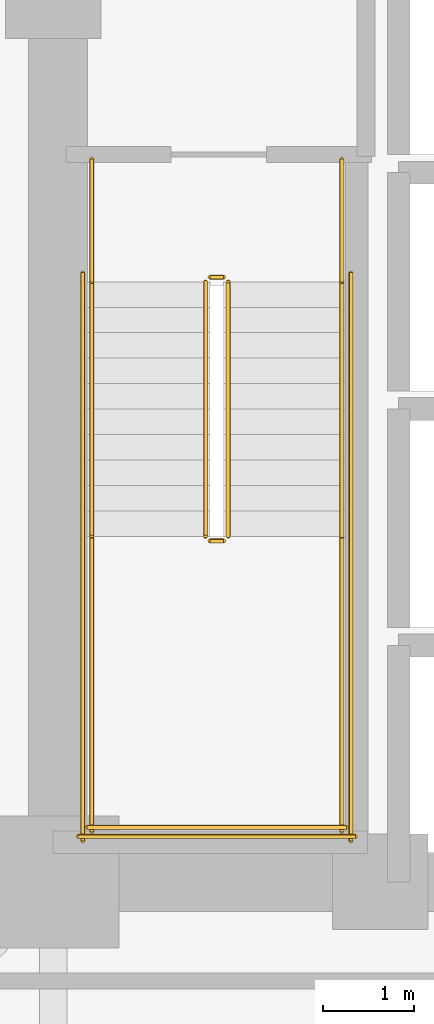
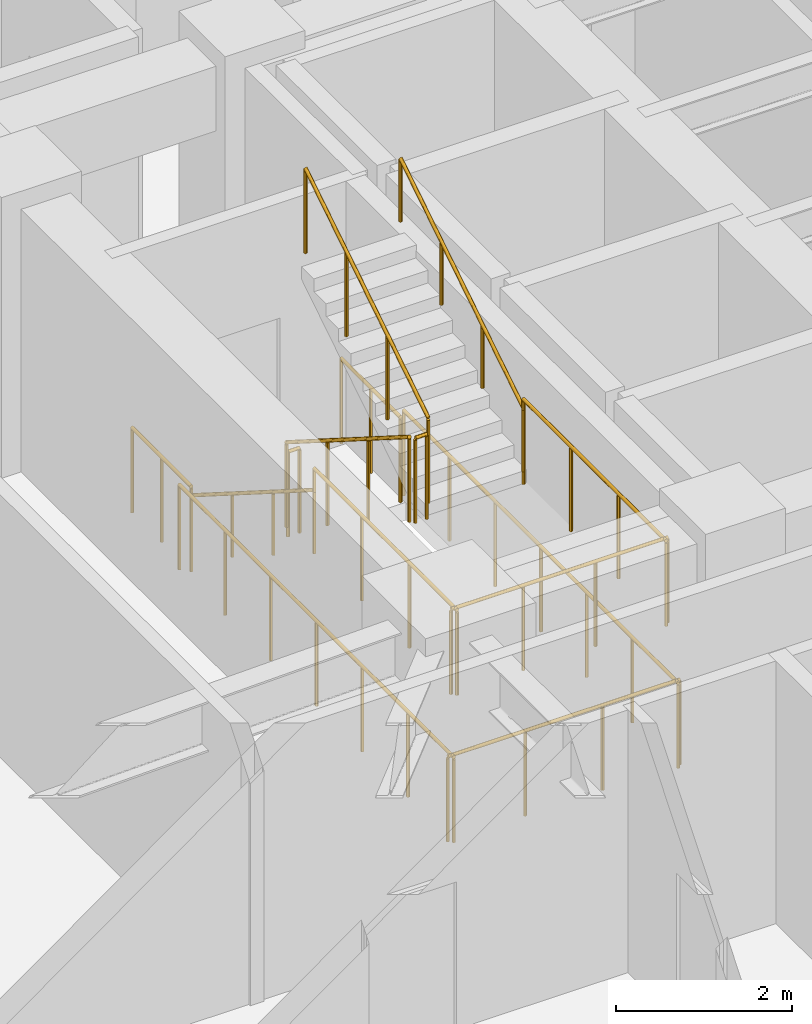
# One storey, part 10 of 11: 14 railings.
"""IFC4 building model written with IfcOpenShell, lengths in metres."""

from ifc_helpers import new_model, si_unit, direction, frame, origin, origin_2d, place, context, subcontext, project, spatial, circle, extrude, material, type_object, element, save


model = new_model("IFC4")

# Units and contexts
model_context = context("Model", 3, precision=1e-05, world=origin(), true_north=direction((0.0, 1.0)))
body_context = subcontext(model_context, "Body", "Model", "MODEL_VIEW")
ifc_project = project(units=[si_unit("LENGTHUNIT", "METRE"), si_unit("AREAUNIT", "SQUARE_METRE"), si_unit("VOLUMEUNIT", "CUBIC_METRE"), si_unit("PLANEANGLEUNIT", "RADIAN"), si_unit("MASSUNIT", "GRAM", prefix="KILO")], contexts=[model_context])

# Site, building, storey
site_placement = place(None, origin())
site = spatial("IfcSite", under=ifc_project, at=site_placement, CompositionType="ELEMENT")
building_placement = place(site_placement, origin())
building = spatial("IfcBuilding", under=site, at=building_placement, Name="Voryun Gate Residences", CompositionType="ELEMENT")
storey_placement = place(building_placement, frame((0.0, 0.0, 37.699951171875)))
storey = spatial("IfcBuildingStorey", under=building, at=storey_placement, Name="L08", CompositionType="ELEMENT", Elevation=37.699951171875)

# Railings
ifc_material_1 = material(Name="Painted steel", Category="steel")
railing_type_1 = type_object("IfcRailingType", Name="RAIL_STAIR_GUARD_1200", PredefinedType="GUARDRAIL", material=ifc_material_1)
railing_1_placement = place(storey_placement, frame((-17.52490234375, -0.800048828125, 0.17724609375)))
element("IfcRailing", 1, at=railing_1_placement, inside=storey, type_object=railing_type_1, Name="L08 ST-W1 stair guard 1", PredefinedType="GUARDRAIL", context=body_context, shape_type="SweptSolid", body=[
    extrude(circle(Radius=0.02392578125, at=origin_2d()), frame((0.0, 0.0, 1.17578125), z_axis=(0.0, -0.844908973607, 0.534910110503), x_axis=(1.0, 0.0, 0.0)), (0.0, 0.0, 1.0), 3.31396484375),
    extrude(circle(Radius=0.02099609375, at=origin_2d()), origin(), (0.0, 0.0, 1.0), 1.15185546875),
    extrude(circle(Radius=0.02099609375, at=origin_2d()), frame((0.0, -0.933349609375, 0.5908203125)), (0.0, 0.0, 1.0), 1.15185546875),
    extrude(circle(Radius=0.02099609375, at=origin_2d()), frame((0.0, -1.86669921875, 1.181884765625)), (0.0, 0.0, 1.0), 1.15185546875),
    extrude(circle(Radius=0.02099609375, at=origin_2d()), frame((0.0, -2.800048828125, 1.772705078125)), (0.0, 0.0, 1.0), 1.15185546875),
])
railing_2_placement = place(storey_placement, frame((-17.47509765625, -3.64990234375, 1.949951171875)))
element("IfcRailing", 2, at=railing_2_placement, inside=storey, type_object=railing_type_1, Name="L08 ST-W1 stair guard 2", PredefinedType="GUARDRAIL", context=body_context, shape_type="SweptSolid", body=[
    extrude(circle(Radius=0.02392578125, at=origin_2d()), frame((0.0, 0.0, 1.17578125), z_axis=(1.0, 0.0, 0.0), x_axis=(0.0, 1.0, 0.0)), (0.0, 0.0, 1.0), 0.150146484375),
    extrude(circle(Radius=0.02099609375, at=origin_2d()), origin(), (0.0, 0.0, 1.0), 1.15185546875),
    extrude(circle(Radius=0.02099609375, at=origin_2d()), frame((0.150146484375, 0.0, 0.0)), (0.0, 0.0, 1.0), 1.15185546875),
])
for number, where, name in (
    (3, (-18.77490234375, -3.60009765625, 1.949951171875), "L08 ST-W1 stair guard 3"),
    (4, (-16.02490234375, -3.60009765625, 1.949951171875), "L08 ST-W1 stair guard 4"),
):
    element("IfcRailing", number, at=place(storey_placement, frame(where)), inside=storey, type_object=railing_type_1, Name=name, PredefinedType="GUARDRAIL", context=body_context, shape_type="SweptSolid", body=[
        extrude(circle(Radius=0.02392578125, at=origin_2d()), frame((0.0, 0.0, 1.17578125), z_axis=(0.0, -1.0, 0.0), x_axis=(1.0, 0.0, 0.0)), (0.0, 0.0, 1.0), 3.25),
        extrude(circle(Radius=0.02099609375, at=origin_2d()), origin(), (0.0, 0.0, 1.0), 1.15185546875),
        extrude(circle(Radius=0.02099609375, at=origin_2d()), frame((0.0, -1.083251953125, 0.0)), (0.0, 0.0, 1.0), 1.15185546875),
        extrude(circle(Radius=0.02099609375, at=origin_2d()), frame((0.0, -2.166748046875, 0.0)), (0.0, 0.0, 1.0), 1.15185546875),
        extrude(circle(Radius=0.02099609375, at=origin_2d()), frame((0.0, -3.25, 0.0)), (0.0, 0.0, 1.0), 1.15185546875),
    ])
railing_3_placement = place(storey_placement, frame((-18.824951171875, -6.800048828125, 1.949951171875)))
element("IfcRailing", 5, at=railing_3_placement, inside=storey, type_object=railing_type_1, Name="L08 ST-W1 stair guard 5", PredefinedType="GUARDRAIL", context=body_context, shape_type="SweptSolid", body=[
    extrude(circle(Radius=0.02392578125, at=origin_2d()), frame((0.0, 0.0, 1.17578125), z_axis=(1.0, 0.0, 0.0), x_axis=(0.0, 1.0, 0.0)), (0.0, 0.0, 1.0), 2.849853515625),
    extrude(circle(Radius=0.02099609375, at=origin_2d()), origin(), (0.0, 0.0, 1.0), 1.15185546875),
    extrude(circle(Radius=0.02099609375, at=origin_2d()), frame((0.949951171875, 0.0, 0.0)), (0.0, 0.0, 1.0), 1.15185546875),
    extrude(circle(Radius=0.02099609375, at=origin_2d()), frame((1.89990234375, 0.0, 0.0)), (0.0, 0.0, 1.0), 1.15185546875),
    extrude(circle(Radius=0.02099609375, at=origin_2d()), frame((2.849853515625, 0.0, 0.0)), (0.0, 0.0, 1.0), 1.15185546875),
])
railing_4_placement = place(storey_placement, frame((-17.27490234375, -3.60009765625, 2.12744140625)))
element("IfcRailing", 6, at=railing_4_placement, inside=storey, type_object=railing_type_1, Name="L08 ST-W1 stair guard 6", PredefinedType="GUARDRAIL", context=body_context, shape_type="SweptSolid", body=[
    extrude(circle(Radius=0.02392578125, at=origin_2d()), frame((0.0, 0.0, 1.17578125), z_axis=(0.0, 0.844908973607, 0.534910110503), x_axis=(-1.0, 0.0, 0.0)), (0.0, 0.0, 1.0), 3.31396484375),
    extrude(circle(Radius=0.02099609375, at=origin_2d()), origin(), (0.0, 0.0, 1.0), 1.15185546875),
    extrude(circle(Radius=0.02099609375, at=origin_2d()), frame((0.0, 0.933349609375, 0.5908203125)), (0.0, 0.0, 1.0), 1.15185546875),
    extrude(circle(Radius=0.02099609375, at=origin_2d()), frame((0.0, 1.86669921875, 1.181884765625)), (0.0, 0.0, 1.0), 1.15185546875),
    extrude(circle(Radius=0.02099609375, at=origin_2d()), frame((0.0, 2.800048828125, 1.772705078125)), (0.0, 0.0, 1.0), 1.15185546875),
])
railing_5_placement = place(storey_placement, frame((-17.47509765625, -0.75, 0.0)))
element("IfcRailing", 7, at=railing_5_placement, inside=storey, type_object=railing_type_1, Name="L08 ST-W1 stair guard 7", PredefinedType="GUARDRAIL", context=body_context, shape_type="SweptSolid", body=[
    extrude(circle(Radius=0.02392578125, at=origin_2d()), frame((0.0, 0.0, 1.17578125), z_axis=(1.0, 0.0, 0.0), x_axis=(0.0, 1.0, 0.0)), (0.0, 0.0, 1.0), 0.150146484375),
    extrude(circle(Radius=0.02099609375, at=origin_2d()), origin(), (0.0, 0.0, 1.0), 1.15185546875),
    extrude(circle(Radius=0.02099609375, at=origin_2d()), frame((0.150146484375, 0.0, 0.0)), (0.0, 0.0, 1.0), 1.15185546875),
])
for number, where, name in (
    (8, (-18.77490234375, 0.550048828125, 0.0), "L08 ST-W1 stair guard 8"),
    (9, (-16.02490234375, 0.550048828125, 0.0), "L08 ST-W1 stair guard 9"),
):
    element("IfcRailing", number, at=place(storey_placement, frame(where)), inside=storey, type_object=railing_type_1, Name=name, PredefinedType="GUARDRAIL", context=body_context, shape_type="SweptSolid", body=[
        extrude(circle(Radius=0.02392578125, at=origin_2d()), frame((0.0, 0.0, 1.17578125), z_axis=(0.0, -1.0, 0.0), x_axis=(1.0, 0.0, 0.0)), (0.0, 0.0, 1.0), 1.35009765625),
        extrude(circle(Radius=0.02099609375, at=origin_2d()), origin(), (0.0, 0.0, 1.0), 1.15185546875),
        extrude(circle(Radius=0.02099609375, at=origin_2d()), frame((0.0, -0.675048828125, 0.0)), (0.0, 0.0, 1.0), 1.15185546875),
        extrude(circle(Radius=0.02099609375, at=origin_2d()), frame((0.0, -1.35009765625, 0.0)), (0.0, 0.0, 1.0), 1.15185546875),
    ])
for number, where, name in (
    (10, (-18.875, -0.699951171875, 0.0), "L08 ST-W1 stair guard 10"),
    (11, (-15.925048828125, -0.699951171875, 0.0), "L08 ST-W1 stair guard 11"),
):
    element("IfcRailing", number, at=place(storey_placement, frame(where)), inside=storey, type_object=railing_type_1, Name=name, PredefinedType="GUARDRAIL", context=body_context, shape_type="SweptSolid", body=[
        extrude(circle(Radius=0.02392578125, at=origin_2d()), frame((0.0, 0.0, 1.17578125), z_axis=(0.0, -1.0, 0.0), x_axis=(1.0, 0.0, 0.0)), (0.0, 0.0, 1.0), 6.25),
        extrude(circle(Radius=0.02099609375, at=origin_2d()), origin(), (0.0, 0.0, 1.0), 1.15185546875),
        extrude(circle(Radius=0.02099609375, at=origin_2d()), frame((0.0, -1.041748046875, 0.0)), (0.0, 0.0, 1.0), 1.15185546875),
        extrude(circle(Radius=0.02099609375, at=origin_2d()), frame((0.0, -2.083251953125, 0.0)), (0.0, 0.0, 1.0), 1.15185546875),
        extrude(circle(Radius=0.02099609375, at=origin_2d()), frame((0.0, -3.125, 0.0)), (0.0, 0.0, 1.0), 1.15185546875),
        extrude(circle(Radius=0.02099609375, at=origin_2d()), frame((0.0, -4.166748046875, 0.0)), (0.0, 0.0, 1.0), 1.15185546875),
        extrude(circle(Radius=0.02099609375, at=origin_2d()), frame((0.0, -5.208251953125, 0.0)), (0.0, 0.0, 1.0), 1.15185546875),
        extrude(circle(Radius=0.02099609375, at=origin_2d()), frame((0.0, -6.25, 0.0)), (0.0, 0.0, 1.0), 1.15185546875),
    ])
railing_6_placement = place(storey_placement, frame((-18.925048828125, -6.89990234375, 0.0)))
element("IfcRailing", 12, at=railing_6_placement, inside=storey, type_object=railing_type_1, Name="L08 ST-W1 stair guard 12", PredefinedType="GUARDRAIL", context=body_context, shape_type="SweptSolid", body=[
    extrude(circle(Radius=0.02392578125, at=origin_2d()), frame((0.0, 0.0, 1.17578125), z_axis=(1.0, 0.0, 0.0), x_axis=(0.0, 1.0, 0.0)), (0.0, 0.0, 1.0), 3.050048828125),
    extrude(circle(Radius=0.02099609375, at=origin_2d()), origin(), (0.0, 0.0, 1.0), 1.15185546875),
    extrude(circle(Radius=0.02099609375, at=origin_2d()), frame((1.0166015625, 0.0, 0.0)), (0.0, 0.0, 1.0), 1.15185546875),
    extrude(circle(Radius=0.02099609375, at=origin_2d()), frame((2.033447265625, 0.0, 0.0)), (0.0, 0.0, 1.0), 1.15185546875),
    extrude(circle(Radius=0.02099609375, at=origin_2d()), frame((3.050048828125, 0.0, 0.0)), (0.0, 0.0, 1.0), 1.15185546875),
])
ifc_material_2 = material(Name="Painted steel", Category="steel")
railing_type_2 = type_object("IfcRailingType", Name="RAIL_STAIR_HANDRAIL_900", PredefinedType="HANDRAIL", material=ifc_material_2)
railing_7_placement = place(storey_placement, frame((-18.77490234375, -0.800048828125, 0.17724609375)))
element("IfcRailing", 13, at=railing_7_placement, inside=storey, type_object=railing_type_2, Name="L08 ST-W1 stair handrail 1", PredefinedType="HANDRAIL", context=body_context, shape_type="SweptSolid", body=[
    extrude(circle(Radius=0.02392578125, at=origin_2d()), frame((0.0, 0.0, 0.8759765625), z_axis=(0.0, -0.844908973607, 0.534910110503), x_axis=(1.0, 0.0, 0.0)), (0.0, 0.0, 1.0), 3.31396484375),
    extrude(circle(Radius=0.02099609375, at=origin_2d()), origin(), (0.0, 0.0, 1.0), 0.851806640625),
    extrude(circle(Radius=0.02099609375, at=origin_2d()), frame((0.0, -0.933349609375, 0.5908203125)), (0.0, 0.0, 1.0), 0.851806640625),
    extrude(circle(Radius=0.02099609375, at=origin_2d()), frame((0.0, -1.86669921875, 1.181884765625)), (0.0, 0.0, 1.0), 0.851806640625),
    extrude(circle(Radius=0.02099609375, at=origin_2d()), frame((0.0, -2.800048828125, 1.772705078125)), (0.0, 0.0, 1.0), 0.851806640625),
])
railing_8_placement = place(storey_placement, frame((-16.02490234375, -3.60009765625, 2.12744140625)))
element("IfcRailing", 14, at=railing_8_placement, inside=storey, type_object=railing_type_2, Name="L08 ST-W1 stair handrail 2", PredefinedType="HANDRAIL", context=body_context, shape_type="SweptSolid", body=[
    extrude(circle(Radius=0.02392578125, at=origin_2d()), frame((0.0, 0.0, 0.8759765625), z_axis=(0.0, 0.844908973607, 0.534910110503), x_axis=(-1.0, 0.0, 0.0)), (0.0, 0.0, 1.0), 3.31396484375),
    extrude(circle(Radius=0.02099609375, at=origin_2d()), origin(), (0.0, 0.0, 1.0), 0.851806640625),
    extrude(circle(Radius=0.02099609375, at=origin_2d()), frame((0.0, 0.933349609375, 0.5908203125)), (0.0, 0.0, 1.0), 0.851806640625),
    extrude(circle(Radius=0.02099609375, at=origin_2d()), frame((0.0, 1.86669921875, 1.181884765625)), (0.0, 0.0, 1.0), 0.851806640625),
    extrude(circle(Radius=0.02099609375, at=origin_2d()), frame((0.0, 2.800048828125, 1.772705078125)), (0.0, 0.0, 1.0), 0.851806640625),
])

save(model, "model.ifc")
